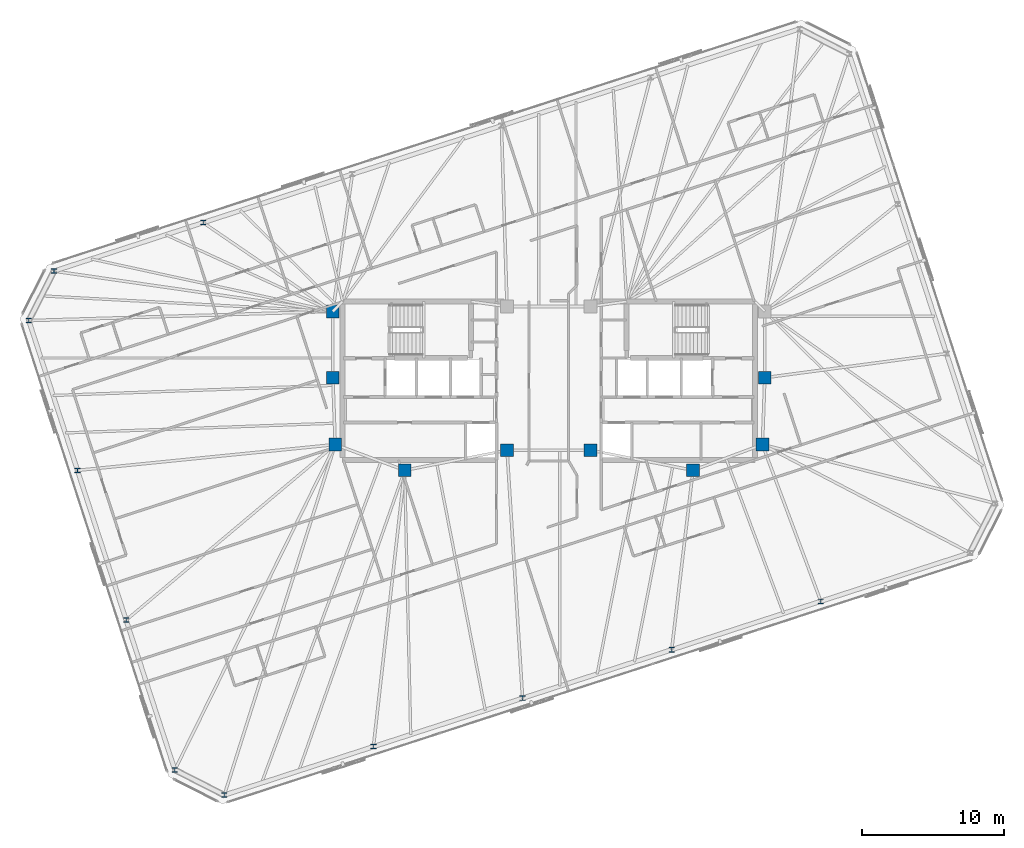
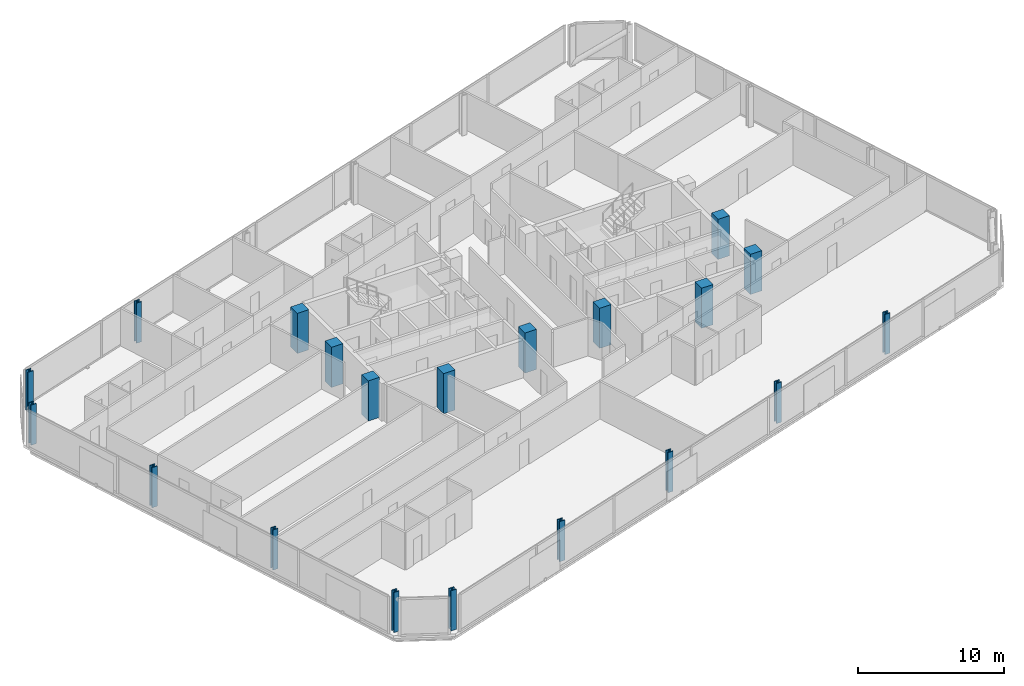
# One storey, part 1 of 19: 20 columns.
"""IFC4 building model written with IfcOpenShell, lengths in metres."""

from ifc_helpers import new_model, si_unit, direction, frame, origin, origin_2d, place, context, subcontext, project, spatial, rectangle, i_section, extrude, material, material_profile, profile_set, type_object, element, save


model = new_model("IFC4")

# Units and contexts
model_context = context("Model", 3, precision=1e-05, world=origin(), true_north=direction((0.0, 1.0)))
body_context = subcontext(model_context, "Body", "Model", "MODEL_VIEW")
ifc_project = project(units=[si_unit("LENGTHUNIT", "METRE"), si_unit("AREAUNIT", "SQUARE_METRE"), si_unit("VOLUMEUNIT", "CUBIC_METRE"), si_unit("PLANEANGLEUNIT", "RADIAN"), si_unit("MASSUNIT", "GRAM", prefix="KILO")], contexts=[model_context])

# Site, building, storey
site_placement = place(None, origin())
site = spatial("IfcSite", under=ifc_project, at=site_placement, CompositionType="ELEMENT")
building_placement = place(site_placement, origin())
building = spatial("IfcBuilding", under=site, at=building_placement, Name="Menara Jurai Vektor", CompositionType="ELEMENT")
storey_placement = place(building_placement, frame((0.0, 0.0, 210.89990234375)))
storey = spatial("IfcBuildingStorey", under=building, at=storey_placement, Name="L55", CompositionType="ELEMENT", Elevation=210.89990234375)

# Columns
ifc_material_1 = material(Name="Concrete C50/60", Category="concrete")
ifc_material_profile_1 = material_profile(ifc_material_1, rectangle(XDim=0.89990234375, YDim=0.89990234375, at=origin_2d()), Name="RC 900x900")
ifc_profile_set_1 = profile_set([ifc_material_profile_1], Name="Concrete C50/60")
column_type_1 = type_object("IfcColumnType", Name="STR-COL-RC900", PredefinedType="COLUMN", material=ifc_profile_set_1)
for number, where, z_axis, x_axis, name in (
    (1, (-15.25, 4.89990234375, 0.0), (0.0, 0.0, 1.0), (1.0, 0.0, 0.0), "Core Spine Column CW-NW L55"),
    (2, (-15.25, 0.219970703125, 0.0), (0.0, 0.0, 1.0), (1.0, 0.0, 0.0), "Core Spine Column CW-WM L55"),
    (3, (-15.080078125, -4.5, 0.0), (0.0, 0.0, 1.0), (1.0, 0.0, 0.0), "Core Spine Column CW-SW L55"),
    (4, (-10.179931640625, -6.320068359375, 0.0), (0.0, 0.0, 1.0), (1.0, 0.0, 0.0), "Core Spine Column CW-SM L55"),
    (5, (-2.949951171875, -4.89990234375, 0.0), (0.0, 0.0, 1.0), (1.0, 0.0, 0.0), "Core Spine Column CW-SE L55"),
    (6, (15.25, 0.219970703125, 0.0), (0.0, 0.0, 1.0), (1.0, 0.0, 0.0), "Core Spine Column CE-EM L55"),
    (7, (15.080078125, -4.5, 0.0), (0.0, 0.0, 1.0), (1.0, 0.0, 0.0), "Core Spine Column CE-SE L55"),
    (8, (10.179931640625, -6.320068359375, 0.0), (0.0, 0.0, 1.0), (1.0, 0.0, 0.0), "Core Spine Column CE-SM L55"),
    (9, (2.949951171875, -4.89990234375, 0.0), (0.0, 0.0, 1.0), (1.0, 0.0, 0.0), "Core Spine Column CE-SW L55"),
):
    element("IfcColumn", number, at=place(storey_placement, frame(where, z_axis=z_axis, x_axis=x_axis)), inside=storey, type_object=column_type_1, Name=name, PredefinedType="COLUMN", context=body_context, shape_type="SweptSolid", body=[
        extrude(rectangle(XDim=0.89990234375, YDim=0.89990234375, at=origin_2d()), origin(), (0.0, 0.0, 1.0), 3.35009765625),
    ])
ifc_material_2 = material(Name="Steel S460", Category="steel")
ifc_material_profile_2 = material_profile(ifc_material_2, i_section(OverallWidth=0.405029296875, OverallDepth=0.35498046875, WebThickness=0.0419921875, FlangeThickness=0.068115234375, FilletRadius=0.014892578125, at=origin_2d()), Name="HD 400x551")
ifc_profile_set_2 = profile_set([ifc_material_profile_2], Name="Steel S460")
column_type_2 = type_object("IfcColumnType", Name="STR-EXO-BLK4", PredefinedType="COLUMN", material=ifc_profile_set_2)
for number, where, z_axis, x_axis, name in (
    (10, (-22.912841796875, -29.2509765625, 0.0), (0.0, 0.0, 1.0), (1.0, 0.0, 0.0), "Exoskeleton Column BLK4-S1 L55"),
    (11, (-12.383544921875, -25.829833984375, 0.0), (0.0, 0.0, 1.0), (1.0, 0.0, 0.0), "Exoskeleton Column BLK4-S2 L55"),
    (12, (-1.854248046875, -22.40869140625, 0.0), (0.0, 0.0, 1.0), (1.0, 0.0, 0.0), "Exoskeleton Column BLK4-S3 L55"),
    (13, (8.675048828125, -18.987548828125, 0.0), (0.0, 0.0, 1.0), (1.0, 0.0, 0.0), "Exoskeleton Column BLK4-S4 L55"),
    (14, (19.204345703125, -15.56640625, 0.0), (0.0, 0.0, 1.0), (1.0, 0.0, 0.0), "Exoskeleton Column BLK4-S5 L55"),
    (15, (-24.404296875, 11.166259765625, 0.0), (0.0, 0.0, 1.0), (1.0, 0.0, 0.0), "Exoskeleton Column BLK4-N5 L55"),
    (16, (-34.93359375, 7.7451171875, 0.0), (0.0, 0.0, 1.0), (1.0, 0.0, 0.0), "Exoskeleton Column BLK4-N6 L55"),
    (17, (-36.71337890625, 4.251953125, 0.0), (0.0, 0.0, 1.0), (1.0, 0.0, 0.0), "Exoskeleton Column BLK4-W1 L55"),
    (18, (-33.277587890625, -6.322265625, 0.0), (0.0, 0.0, 1.0), (1.0, 0.0, 0.0), "Exoskeleton Column BLK4-W2 L55"),
    (19, (-29.841796875, -16.896728515625, 0.0), (0.0, 0.0, 1.0), (1.0, 0.0, 0.0), "Exoskeleton Column BLK4-W3 L55"),
    (20, (-26.406005859375, -27.47119140625, 0.0), (0.0, 0.0, 1.0), (1.0, 0.0, 0.0), "Exoskeleton Column BLK4-W4 L55"),
):
    element("IfcColumn", number, at=place(storey_placement, frame(where, z_axis=z_axis, x_axis=x_axis)), inside=storey, type_object=column_type_2, Name=name, PredefinedType="COLUMN", context=body_context, shape_type="SweptSolid", body=[
        extrude(i_section(OverallWidth=0.405029296875, OverallDepth=0.35498046875, WebThickness=0.0419921875, FlangeThickness=0.068115234375, FilletRadius=0.014892578125, at=origin_2d()), origin(), (0.0, 0.0, 1.0), 3.35009765625),
    ])

save(model, "model.ifc")
